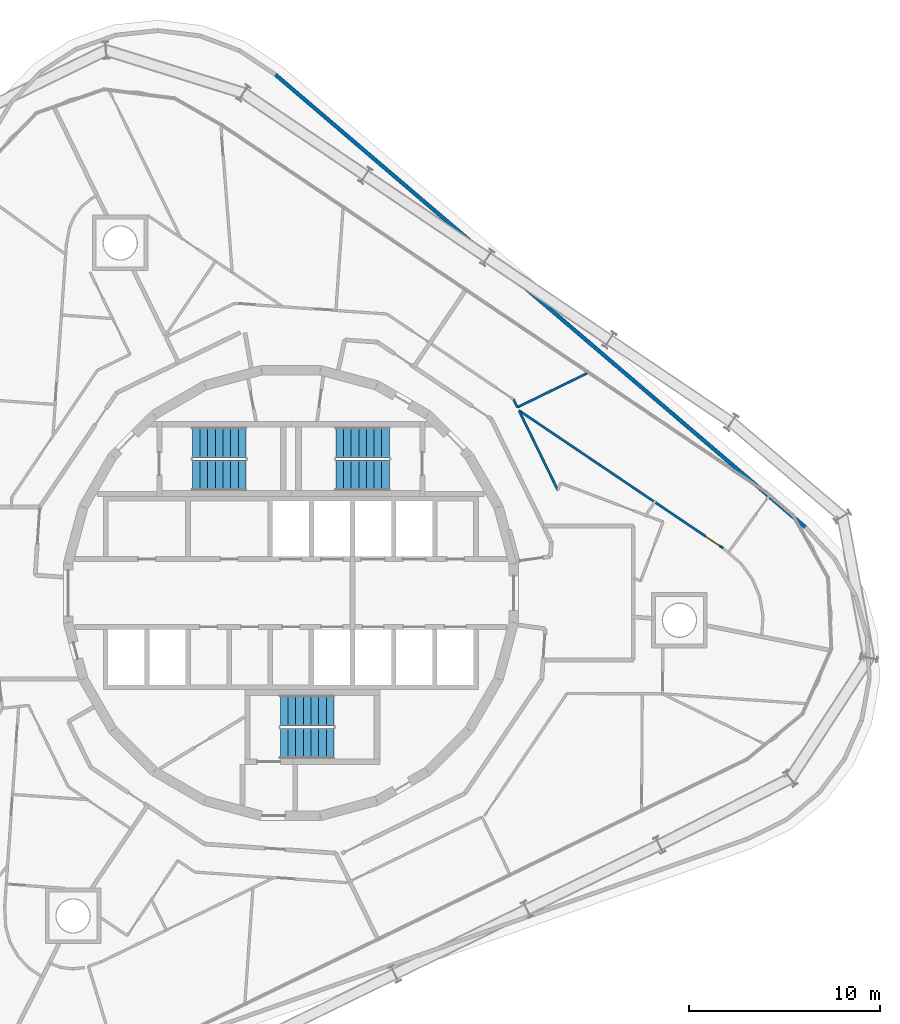
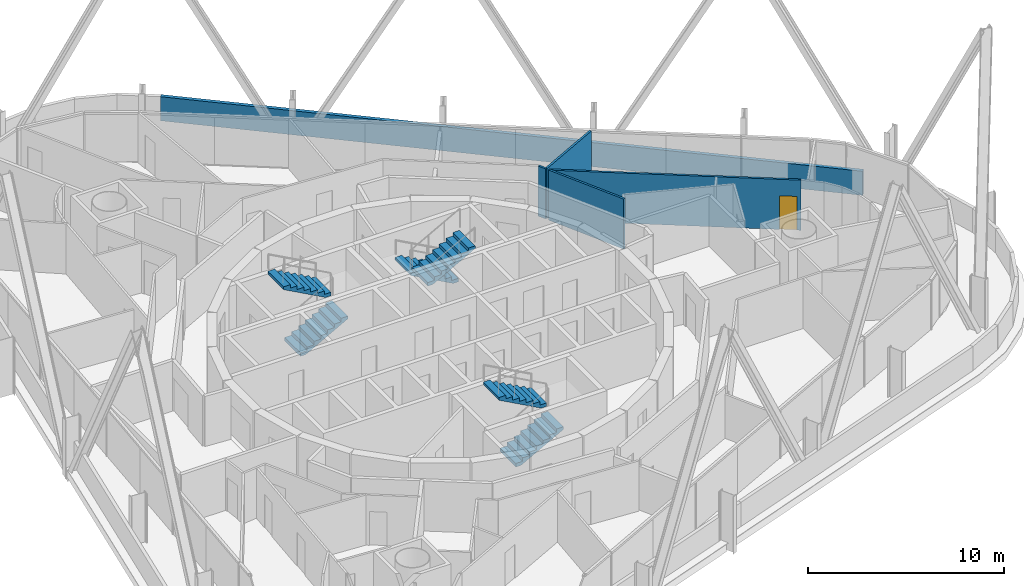
# One storey, part 17 of 18: 6 stair flights, 5 walls, 1 door, 1 opening, 3 elements without a shape of their own.
"""IFC4 building model written with IfcOpenShell, lengths in metres."""

from ifc_helpers import new_model, si_unit, direction, frame, frame_2d, origin, place, context, subcontext, project, spatial, polyline, rectangle, outline, extrude, material, layer, layer_set, type_object, element, fill, aggregate, save


model = new_model("IFC4")

# Units and contexts
model_context = context("Model", 3, precision=1e-05, world=origin(), true_north=direction((0.0, 1.0)))
body_context = subcontext(model_context, "Body", "Model", "MODEL_VIEW")
ifc_project = project(units=[si_unit("LENGTHUNIT", "METRE"), si_unit("AREAUNIT", "SQUARE_METRE"), si_unit("VOLUMEUNIT", "CUBIC_METRE"), si_unit("PLANEANGLEUNIT", "RADIAN"), si_unit("MASSUNIT", "GRAM", prefix="KILO")], contexts=[model_context])

# Site, building, storey
site_placement = place(None, origin())
site = spatial("IfcSite", under=ifc_project, at=site_placement, CompositionType="ELEMENT")
building_placement = place(site_placement, origin())
building = spatial("IfcBuilding", under=site, at=building_placement, Name="Spindle Arch Residences", CompositionType="ELEMENT")
storey_placement = place(building_placement, frame((0.0, 0.0, 188.39990234375)))
storey = spatial("IfcBuildingStorey", under=building, at=storey_placement, Name="L47", CompositionType="ELEMENT", Elevation=188.39990234375)

# Walls
ifc_material_1 = material(Name="Plasterboard on steel studs", Category="steel")
ifc_layer_1 = layer(ifc_material_1, 0.1201171875)
ifc_layer_set_1 = layer_set([ifc_layer_1], Name="Flat partition 120")
wall_type_1 = type_object("IfcWallType", Name="Flat partition 120", PredefinedType="PARTITIONING", material=ifc_layer_set_1)
wall_1_placement = place(storey_placement, frame((13.952880859375, 5.3818359375, 0.0), z_axis=(0.0, 0.0, 1.0), x_axis=(-0.438382107355, 0.898788700391, 0.0)))
element("IfcWall", 1, at=wall_1_placement, inside=storey, type_object=wall_type_1, Name="Flat partition R5A0-W040", PredefinedType="PARTITIONING", context=body_context, shape_type="SweptSolid", body=[
    extrude(rectangle(XDim=4.633544921875, YDim=0.1201171875, at=frame_2d((2.31689453125, 0.0))), origin(), (0.0, 0.0, 1.0), 3.1201171875),
])
wall_2_placement = place(storey_placement, frame((11.841064453125, 9.711669921875, 0.0), z_axis=(0.0, 0.0, 1.0), x_axis=(-0.438381293215, 0.898789097486, 0.0)))
element("IfcWall", 2, at=wall_2_placement, inside=storey, type_object=wall_type_1, Name="Flat partition R5A0-W041", PredefinedType="PARTITIONING", context=body_context, shape_type="SweptSolid", body=[
    extrude(rectangle(XDim=0.454345703125, YDim=0.1201171875, at=frame_2d((0.22705078125, 0.0))), origin(), (0.0, 0.0, 1.0), 3.1201171875),
])

# Wall, opening, door
wall_3_placement = place(storey_placement, frame((22.598388671875, 2.3447265625, 0.0), z_axis=(0.0, 0.0, 1.0), x_axis=(-0.829034113947, 0.559198031034, 0.0)))
wall_3 = element("IfcWall", 3, at=wall_3_placement, inside=storey, type_object=wall_type_1, Name="Flat partition R5A0-W049", PredefinedType="PARTITIONING", context=body_context, shape_type="SweptSolid", body=[
    extrude(rectangle(XDim=12.878662109375, YDim=0.1201171875, at=frame_2d((6.439453125, 0.0))), origin(), (0.0, 0.0, 1.0), 3.1201171875),
])
opening_placement = place(wall_3_placement, frame((0.199951171875, 0.0, 0.0)))
opening = element("IfcOpeningElement", 4, at=opening_placement, cuts=wall_3, Name="Opening R5A0-ID03", PredefinedType="OPENING", context=body_context, shape_type="SweptSolid", body=[
    extrude(rectangle(XDim=0.89990234375, YDim=2.10009765625, at=frame_2d((0.449951171875, 1.050048828125))), frame((0.0, 0.070068359375, 0.0), z_axis=(0.0, -1.0, 0.0), x_axis=(1.0, 0.0, 0.0)), (0.0, 0.0, 1.0), 0.14013671875),
])
ifc_material_2 = material(Name="Timber door set", Category="wood")
door_type = type_object("IfcDoorType", Name="Room door 900x2100", OperationType="NOTDEFINED", PredefinedType="DOOR", material=ifc_material_2)
door_placement = place(opening_placement, origin())
door = element("IfcDoor", 5, at=door_placement, inside=storey, type_object=door_type, Name="Room door R5A0-ID03", OperationType="SINGLE_SWING_LEFT", OverallHeight=2.10009765625, OverallWidth=0.89990234375, PredefinedType="DOOR", context=body_context, shape_type="SweptSolid", body=[
    extrude(rectangle(XDim=0.89990234375, YDim=2.10009765625, at=frame_2d((0.449951171875, 1.050048828125))), frame((0.0, 0.02490234375, 0.0), z_axis=(0.0, -1.0, 0.0), x_axis=(1.0, 0.0, 0.0)), (0.0, 0.0, 1.0), 0.050048828125),
])
fill(opening, door)

# Walls
wall_4_placement = place(storey_placement, frame((15.48193359375, 11.4873046875, 0.0), z_axis=(0.0, 0.0, 1.0), x_axis=(-0.898807251285, -0.438344071521, 0.0)))
element("IfcWall", 6, at=wall_4_placement, inside=storey, type_object=wall_type_1, Name="Flat partition R5A0-W051", PredefinedType="PARTITIONING", context=body_context, shape_type="SweptSolid", body=[
    extrude(rectangle(XDim=4.05078125, YDim=0.1201171875, at=frame_2d((2.025390625, 0.0))), origin(), (0.0, 0.0, 1.0), 3.1201171875),
])
ifc_material_3 = material(Name="Concrete C40/50", Category="concrete")
ifc_layer_2 = layer(ifc_material_3, 0.199951171875)
ifc_layer_set_2 = layer_set([ifc_layer_2], Name="Roof parapet 1500")
wall_type_2 = type_object("IfcWallType", Name="Roof parapet 1500", PredefinedType="PARAPET", material=ifc_layer_set_2)
wall_5_placement = place(storey_placement, frame((-0.8076171875, 27.1005859375, 0.030029296875), z_axis=(0.0, 0.0, 1.0), x_axis=(0.76040780846, -0.649445890613, 0.0)))
element("IfcWall", 7, at=wall_5_placement, inside=storey, type_object=wall_type_2, Name="Roof parapet L46 1.21", PredefinedType="PARAPET", context=body_context, shape_type="SweptSolid", body=[
    extrude(rectangle(XDim=36.428955078125, YDim=0.199951171875, at=frame_2d((18.21435546875, 0.0))), origin(), (0.0, 0.0, 1.0), 1.5),
])

# Stair, stair flights
ifc_material_4 = material(Name="Concrete C50/60", Category="concrete")
stair_type = type_object("IfcStairType", Name="Exit stair 16 risers", PredefinedType="HALF_TURN_STAIR", material=ifc_material_4)
stair_1_placement = place(storey_placement, origin())
stair_1 = element("IfcStair", 8, at=stair_1_placement, inside=storey, type_object=stair_type, Name="L47 Exit stair ST1", PredefinedType="HALF_TURN_STAIR")
ifc_material_5 = material(Name="Concrete C50/60", Category="concrete")
stair_flight_type = type_object("IfcStairFlightType", Name="Exit stair flight", PredefinedType="STRAIGHT", material=ifc_material_5)
stair_flight_1_placement = place(storey_placement, frame((5.14990234375, 7.8701171875, 0.0), z_axis=(0.0, 0.0, 1.0), x_axis=(-1.0, 0.0, 0.0)))
stair_flight_1 = element("IfcStairFlight", 9, at=stair_flight_1_placement, type_object=stair_flight_type, Name="ST1 flight 1", NumberOfRisers=8, NumberOfTreads=7, PredefinedType="STRAIGHT", RiserHeight=0.21875, TreadLength=0.4, context=body_context, shape_type="SweptSolid", body=[
    extrude(outline(polyline([(0.0, 0.0), (0.0, 0.21875), (0.39990234375, 0.21875), (0.39990234375, 0.4375), (0.800048828125, 0.4375), (0.800048828125, 0.65625), (1.199951171875, 0.65625), (1.199951171875, 0.875), (1.60009765625, 0.875), (1.60009765625, 1.09375), (2.0, 1.09375), (2.0, 1.3125), (2.39990234375, 1.3125), (2.39990234375, 1.53125), (2.800048828125, 1.53125), (2.800048828125, 1.75), (2.800048828125, 1.3603515625), (0.3125, 0.0), (0.0, 0.0)])), frame((0.0, 0.800048828125, 0.0), z_axis=(0.0, -1.0, 0.0), x_axis=(1.0, 0.0, 0.0)), (0.0, 0.0, 1.0), 1.60009765625),
])
stair_flight_2_placement = place(storey_placement, frame((2.35009765625, 6.14990234375, 1.75), z_axis=(0.0, 0.0, 1.0), x_axis=(1.0, 0.0, 0.0)))
stair_flight_2 = element("IfcStairFlight", 10, at=stair_flight_2_placement, type_object=stair_flight_type, Name="ST1 flight 2", NumberOfRisers=8, NumberOfTreads=7, PredefinedType="STRAIGHT", RiserHeight=0.21875, TreadLength=0.4, context=body_context, shape_type="SweptSolid", body=[
    extrude(outline(polyline([(0.0, 0.0), (0.0, 0.21875), (0.39990234375, 0.21875), (0.39990234375, 0.4375), (0.800048828125, 0.4375), (0.800048828125, 0.65625), (1.199951171875, 0.65625), (1.199951171875, 0.875), (1.60009765625, 0.875), (1.60009765625, 1.09375), (2.0, 1.09375), (2.0, 1.3125), (2.39990234375, 1.3125), (2.39990234375, 1.53125), (2.800048828125, 1.53125), (2.800048828125, 1.75), (2.800048828125, 1.3603515625), (0.3125, 0.0), (0.0, 0.0)])), frame((0.0, 0.800048828125, 0.0), z_axis=(0.0, -1.0, 0.0), x_axis=(1.0, 0.0, 0.0)), (0.0, 0.0, 1.0), 1.60009765625),
])
aggregate(stair_1, [stair_flight_1, stair_flight_2])

stair_2_placement = place(storey_placement, origin())
stair_2 = element("IfcStair", 11, at=stair_2_placement, inside=storey, type_object=stair_type, Name="L47 Exit stair ST2", PredefinedType="HALF_TURN_STAIR")
stair_flight_3_placement = place(storey_placement, frame((-5.14990234375, 6.14990234375, 0.0), z_axis=(0.0, 0.0, 1.0), x_axis=(1.0, 0.0, 0.0)))
stair_flight_3 = element("IfcStairFlight", 12, at=stair_flight_3_placement, type_object=stair_flight_type, Name="ST2 flight 1", NumberOfRisers=8, NumberOfTreads=7, PredefinedType="STRAIGHT", RiserHeight=0.21875, TreadLength=0.4, context=body_context, shape_type="SweptSolid", body=[
    extrude(outline(polyline([(0.0, 0.0), (0.0, 0.21875), (0.39990234375, 0.21875), (0.39990234375, 0.4375), (0.800048828125, 0.4375), (0.800048828125, 0.65625), (1.199951171875, 0.65625), (1.199951171875, 0.875), (1.60009765625, 0.875), (1.60009765625, 1.09375), (2.0, 1.09375), (2.0, 1.3125), (2.39990234375, 1.3125), (2.39990234375, 1.53125), (2.800048828125, 1.53125), (2.800048828125, 1.75), (2.800048828125, 1.3603515625), (0.3125, 0.0), (0.0, 0.0)])), frame((0.0, 0.800048828125, 0.0), z_axis=(0.0, -1.0, 0.0), x_axis=(1.0, 0.0, 0.0)), (0.0, 0.0, 1.0), 1.60009765625),
])
stair_flight_4_placement = place(storey_placement, frame((-2.35009765625, 7.8701171875, 1.75), z_axis=(0.0, 0.0, 1.0), x_axis=(-1.0, 0.0, 0.0)))
stair_flight_4 = element("IfcStairFlight", 13, at=stair_flight_4_placement, type_object=stair_flight_type, Name="ST2 flight 2", NumberOfRisers=8, NumberOfTreads=7, PredefinedType="STRAIGHT", RiserHeight=0.21875, TreadLength=0.4, context=body_context, shape_type="SweptSolid", body=[
    extrude(outline(polyline([(0.0, 0.0), (0.0, 0.21875), (0.39990234375, 0.21875), (0.39990234375, 0.4375), (0.800048828125, 0.4375), (0.800048828125, 0.65625), (1.199951171875, 0.65625), (1.199951171875, 0.875), (1.60009765625, 0.875), (1.60009765625, 1.09375), (2.0, 1.09375), (2.0, 1.3125), (2.39990234375, 1.3125), (2.39990234375, 1.53125), (2.800048828125, 1.53125), (2.800048828125, 1.75), (2.800048828125, 1.3603515625), (0.3125, 0.0), (0.0, 0.0)])), frame((0.0, 0.800048828125, 0.0), z_axis=(0.0, -1.0, 0.0), x_axis=(1.0, 0.0, 0.0)), (0.0, 0.0, 1.0), 1.60009765625),
])
aggregate(stair_2, [stair_flight_3, stair_flight_4])

stair_3_placement = place(storey_placement, origin())
stair_3 = element("IfcStair", 14, at=stair_3_placement, inside=storey, type_object=stair_type, Name="L47 Exit stair ST3", PredefinedType="HALF_TURN_STAIR")
stair_flight_5_placement = place(storey_placement, frame((-0.550048828125, -7.8701171875, 0.0), z_axis=(0.0, 0.0, 1.0), x_axis=(1.0, 0.0, 0.0)))
stair_flight_5 = element("IfcStairFlight", 15, at=stair_flight_5_placement, type_object=stair_flight_type, Name="ST3 flight 1", NumberOfRisers=8, NumberOfTreads=7, PredefinedType="STRAIGHT", RiserHeight=0.21875, TreadLength=0.4, context=body_context, shape_type="SweptSolid", body=[
    extrude(outline(polyline([(0.0, 0.0), (0.0, 0.21875), (0.39990234375, 0.21875), (0.39990234375, 0.4375), (0.800048828125, 0.4375), (0.800048828125, 0.65625), (1.199951171875, 0.65625), (1.199951171875, 0.875), (1.60009765625, 0.875), (1.60009765625, 1.09375), (2.0, 1.09375), (2.0, 1.3125), (2.39990234375, 1.3125), (2.39990234375, 1.53125), (2.800048828125, 1.53125), (2.800048828125, 1.75), (2.800048828125, 1.3603515625), (0.3125, 0.0), (0.0, 0.0)])), frame((0.0, 0.800048828125, 0.0), z_axis=(0.0, -1.0, 0.0), x_axis=(1.0, 0.0, 0.0)), (0.0, 0.0, 1.0), 1.60009765625),
])
stair_flight_6_placement = place(storey_placement, frame((2.25, -6.14990234375, 1.75), z_axis=(0.0, 0.0, 1.0), x_axis=(-1.0, 0.0, 0.0)))
stair_flight_6 = element("IfcStairFlight", 16, at=stair_flight_6_placement, type_object=stair_flight_type, Name="ST3 flight 2", NumberOfRisers=8, NumberOfTreads=7, PredefinedType="STRAIGHT", RiserHeight=0.21875, TreadLength=0.4, context=body_context, shape_type="SweptSolid", body=[
    extrude(outline(polyline([(0.0, 0.0), (0.0, 0.21875), (0.39990234375, 0.21875), (0.39990234375, 0.4375), (0.800048828125, 0.4375), (0.800048828125, 0.65625), (1.199951171875, 0.65625), (1.199951171875, 0.875), (1.60009765625, 0.875), (1.60009765625, 1.09375), (2.0, 1.09375), (2.0, 1.3125), (2.39990234375, 1.3125), (2.39990234375, 1.53125), (2.800048828125, 1.53125), (2.800048828125, 1.75), (2.800048828125, 1.3603515625), (0.3125, 0.0), (0.0, 0.0)])), frame((0.0, 0.800048828125, 0.0), z_axis=(0.0, -1.0, 0.0), x_axis=(1.0, 0.0, 0.0)), (0.0, 0.0, 1.0), 1.60009765625),
])
aggregate(stair_3, [stair_flight_5, stair_flight_6])

save(model, "model.ifc")
